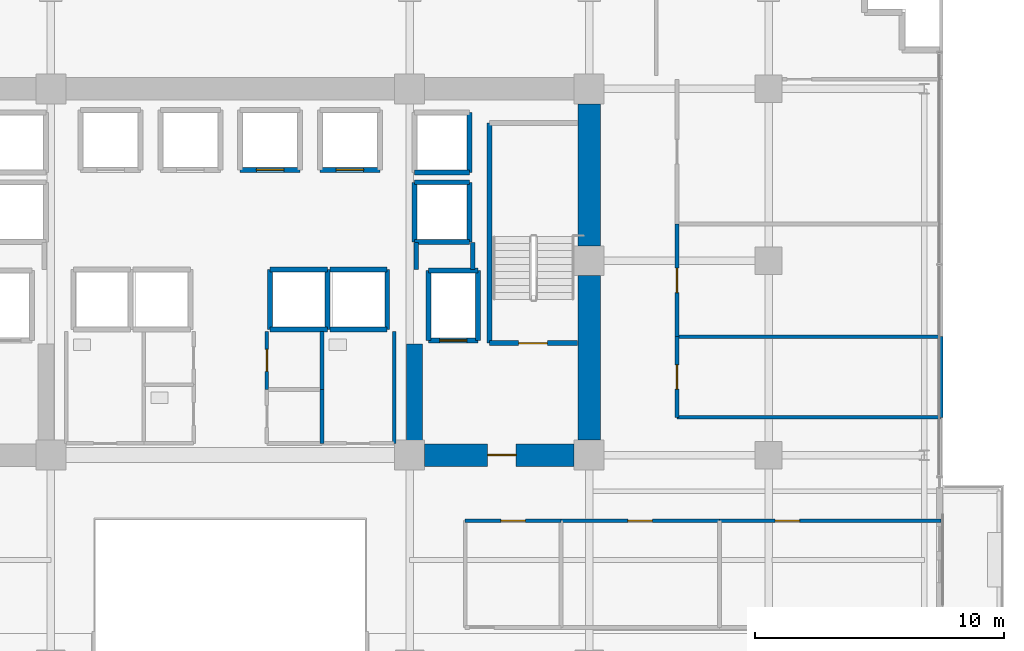
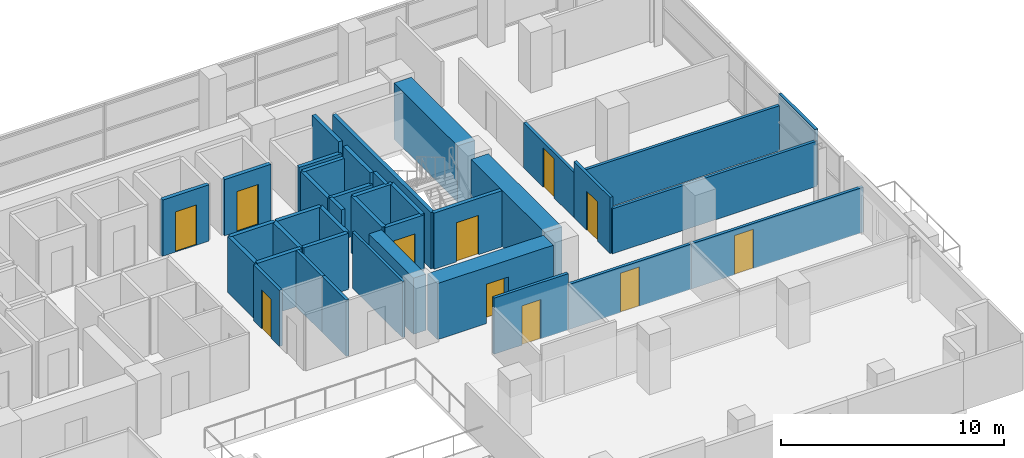
# One storey, part 24 of 30: 39 walls, 11 doors, 11 openings.
"""IFC4 building model written with IfcOpenShell, lengths in metres."""

from ifc_helpers import new_model, si_unit, direction, frame, frame_2d, origin, place, context, subcontext, project, spatial, rectangle, extrude, source, transform, mapped, material, layer, layer_set, type_object, element, fill, save


model = new_model("IFC4")

# Units and contexts
model_context = context("Model", 3, precision=1e-05, world=origin(), true_north=direction((0.0, 1.0)))
body_context = subcontext(model_context, "Body", "Model", "MODEL_VIEW")
ifc_project = project(units=[si_unit("LENGTHUNIT", "METRE"), si_unit("AREAUNIT", "SQUARE_METRE"), si_unit("VOLUMEUNIT", "CUBIC_METRE"), si_unit("PLANEANGLEUNIT", "RADIAN"), si_unit("MASSUNIT", "GRAM", prefix="KILO")], contexts=[model_context])

# Site, building, storey
site_placement = place(None, origin())
site = spatial("IfcSite", under=ifc_project, at=site_placement, CompositionType="ELEMENT")
building_placement = place(site_placement, origin())
building = spatial("IfcBuilding", under=site, at=building_placement, Name="Zarnakvel Exchange Tower", CompositionType="ELEMENT")
storey_placement = place(building_placement, frame((0.0, 0.0, 43.89990234375)))
storey = spatial("IfcBuildingStorey", under=building, at=storey_placement, Name="L11", CompositionType="ELEMENT", Elevation=43.89990234375)

# Walls
ifc_material_1 = material(Name="Concrete C80/95", Category="concrete")
ifc_layer_1 = layer(ifc_material_1, 0.89990234375)
ifc_layer_set_1 = layer_set([ifc_layer_1], Name="Concrete C80/95")
wall_type_1 = type_object("IfcWallType", Name="CW-C1", PredefinedType="SHEAR", material=ifc_layer_set_1)
wall_1_placement = place(storey_placement, frame((14.39990234375, -0.60009765625, 0.0), z_axis=(0.0, 0.0, 1.0), x_axis=(0.0, 1.0, 0.0)))
element("IfcWall", 1, at=wall_1_placement, inside=storey, type_object=wall_type_1, Name="L11 Rear Core Shear Wall E1 (CW-C1)", PredefinedType="SHEAR", context=body_context, shape_type="SweptSolid", body=[
    extrude(rectangle(XDim=6.60009765625, YDim=0.89990234375, at=frame_2d((3.300048828125, 0.0))), origin(), (0.0, 0.0, 1.0), 3.0751953125),
])
wall_2_placement = place(storey_placement, frame((14.39990234375, 7.199951171875, 0.0), z_axis=(0.0, 0.0, 1.0), x_axis=(0.0, 1.0, 0.0)))
element("IfcWall", 2, at=wall_2_placement, inside=storey, type_object=wall_type_1, Name="L11 Rear Core Shear Wall E2 (CW-C1)", PredefinedType="SHEAR", context=body_context, shape_type="SweptSolid", body=[
    extrude(rectangle(XDim=5.699951171875, YDim=0.89990234375, at=frame_2d((2.85009765625, 0.0))), origin(), (0.0, 0.0, 1.0), 3.0751953125),
])

# Wall, opening, door
wall_3_placement = place(storey_placement, frame((13.800048828125, -1.199951171875, 0.0), z_axis=(0.0, 0.0, 1.0), x_axis=(-1.0, 0.0, 0.0)))
wall_3 = element("IfcWall", 3, at=wall_3_placement, inside=storey, type_object=wall_type_1, Name="L11 Rear Core Shear Wall SE (CW-C1)", PredefinedType="SHEAR", context=body_context, shape_type="SweptSolid", body=[
    extrude(rectangle(XDim=6.0, YDim=0.89990234375, at=frame_2d((3.0, 0.0))), origin(), (0.0, 0.0, 1.0), 3.0751953125),
])
opening_1_placement = place(wall_3_placement, frame((2.324951171875, 0.0, 0.0)))
opening_1 = element("IfcOpeningElement", 4, at=opening_1_placement, cuts=wall_3, Name="Opening D-L11-04", PredefinedType="OPENING", context=body_context, shape_type="SweptSolid", body=[
    extrude(rectangle(XDim=1.14990234375, YDim=2.14990234375, at=frame_2d((0.574951171875, 1.074951171875))), frame((0.0, 0.4599609375, 0.0), z_axis=(0.0, -1.0, 0.0), x_axis=(1.0, 0.0, 0.0)), (0.0, 0.0, 1.0), 0.919921875),
])
ifc_material_2 = material(Name="Painted Galvanised Steel S355", Category="steel")
door_type_1 = type_object("IfcDoorType", Name="DT-04", OperationType="NOTDEFINED", PredefinedType="DOOR", material=ifc_material_2)
shared_shape_1 = source(origin(), body_context, "Body", "SweptSolid", [
    extrude(rectangle(XDim=1.14990234375, YDim=2.14990234375, at=frame_2d((0.574951171875, 1.074951171875))), frame((0.0, 0.02490234375, 0.0), z_axis=(0.0, -1.0, 0.0), x_axis=(1.0, 0.0, 0.0)), (0.0, 0.0, 1.0), 0.050048828125),
])
door_1_placement = place(opening_1_placement, origin())
door_1 = element("IfcDoor", 5, at=door_1_placement, inside=storey, type_object=door_type_1, Name="L11 Firefighting Lobby East Door D-L11-04", OperationType="SINGLE_SWING_RIGHT", OverallHeight=2.14990234375, OverallWidth=1.14990234375, PredefinedType="DOOR", context=body_context, shape_type="MappedRepresentation", body=[
    mapped(shared_shape_1, transform((0.0, 0.0, 0.0), x_axis=(1.0, 0.0, 0.0), y_axis=(0.0, 1.0, 0.0), z_axis=(0.0, 0.0, 1.0), scale=1.0)),
])
fill(opening_1, door_1)

# Walls
ifc_layer_2 = layer(ifc_material_1, 0.64990234375)
ifc_layer_set_2 = layer_set([ifc_layer_2], Name="Concrete C80/95")
wall_type_2 = type_object("IfcWallType", Name="CW-C2", PredefinedType="SHEAR", material=ifc_layer_set_2)
wall_4_placement = place(storey_placement, frame((7.39990234375, -0.75, 0.0), z_axis=(0.0, 0.0, 1.0), x_axis=(0.0, 1.0, 0.0)))
element("IfcWall", 6, at=wall_4_placement, inside=storey, type_object=wall_type_2, Name="L11 Rear Core Shear Wall IE (CW-C2)", PredefinedType="SHEAR", context=body_context, shape_type="SweptSolid", body=[
    extrude(rectangle(XDim=4.0, YDim=0.64990234375, at=frame_2d((2.0, 0.0))), origin(), (0.0, 0.0, 1.0), 3.0751953125),
])
ifc_material_3 = material(Name="Fire-Rated Gypsum Stud Partition", Category="gypsum")
ifc_layer_3 = layer(ifc_material_3, 0.14990234375)
ifc_layer_set_3 = layer_set([ifc_layer_3], Name="Fire-Rated Gypsum Stud Partition")
wall_type_3 = type_object("IfcWallType", Name="PT-01", PredefinedType="PARTITIONING", material=ifc_layer_set_3)
wall_5_placement = place(storey_placement, frame((3.679931640625, 1.429931640625, 0.0), z_axis=(0.0, 0.0, 1.0), x_axis=(0.0, -1.0, 0.0)))
element("IfcWall", 7, at=wall_5_placement, inside=storey, type_object=wall_type_3, Name="L11 Partition Wall PWALL-L11-021 (PT-01)", PredefinedType="PARTITIONING", context=body_context, shape_type="SweptSolid", body=[
    extrude(rectangle(XDim=2.159912109375, YDim=0.14990234375, at=frame_2d((1.080078125, 0.0))), origin(), (0.0, 0.0, 1.0), 3.0751953125),
])

# Wall, opening, door
wall_6_placement = place(storey_placement, frame((1.469970703125, 1.429931640625, 0.0), z_axis=(0.0, 0.0, 1.0), x_axis=(0.0, 1.0, 0.0)))
wall_6 = element("IfcWall", 8, at=wall_6_placement, inside=storey, type_object=wall_type_3, Name="L11 Partition Wall PWALL-L11-022 (PT-01)", PredefinedType="PARTITIONING", context=body_context, shape_type="SweptSolid", body=[
    extrude(rectangle(XDim=2.330078125, YDim=0.14990234375, at=frame_2d((1.1650390625, 0.0))), origin(), (0.0, 0.0, 1.0), 3.0751953125),
])
opening_2_placement = place(wall_6_placement, frame((0.72998046875, 0.0, 0.0)))
opening_2 = element("IfcOpeningElement", 9, at=opening_2_placement, cuts=wall_6, Name="Opening D-L11-09", PredefinedType="OPENING", context=body_context, shape_type="SweptSolid", body=[
    extrude(rectangle(XDim=0.8798828125, YDim=2.14990234375, at=frame_2d((0.43994140625, 1.074951171875))), frame((0.0, 0.0849609375, 0.0), z_axis=(0.0, -1.0, 0.0), x_axis=(1.0, 0.0, 0.0)), (0.0, 0.0, 1.0), 0.169921875),
])
ifc_material_4 = material(Name="Timber Acoustic Veneer", Category="wood")
door_type_2 = type_object("IfcDoorType", Name="DT-05", OperationType="NOTDEFINED", PredefinedType="DOOR", material=ifc_material_4)
shared_shape_2 = source(origin(), body_context, "Body", "SweptSolid", [
    extrude(rectangle(XDim=0.8798828125, YDim=2.14990234375, at=frame_2d((0.43994140625, 1.074951171875))), frame((0.0, 0.02490234375, 0.0), z_axis=(0.0, -1.0, 0.0), x_axis=(1.0, 0.0, 0.0)), (0.0, 0.0, 1.0), 0.050048828125),
])
door_2_placement = place(opening_2_placement, origin())
door_2 = element("IfcDoor", 10, at=door_2_placement, inside=storey, type_object=door_type_2, Name="L11 Stationery Store Door D-L11-09", OperationType="SINGLE_SWING_LEFT", OverallHeight=2.14990234375, OverallWidth=0.8798828125, PredefinedType="DOOR", context=body_context, shape_type="MappedRepresentation", body=[
    mapped(shared_shape_2, transform((0.0, 0.0, 0.0), x_axis=(1.0, 0.0, 0.0), y_axis=(0.0, 1.0, 0.0), z_axis=(0.0, 0.0, 1.0), scale=1.0)),
])
fill(opening_2, door_2)

# Wall
wall_7_placement = place(storey_placement, frame((3.679931640625, 3.760009765625, 0.0), z_axis=(0.0, 0.0, 1.0), x_axis=(0.0, -1.0, 0.0)))
element("IfcWall", 11, at=wall_7_placement, inside=storey, type_object=wall_type_3, Name="L11 Partition Wall PWALL-L11-023 (PT-01)", PredefinedType="PARTITIONING", context=body_context, shape_type="SweptSolid", body=[
    extrude(rectangle(XDim=2.330078125, YDim=0.14990234375, at=frame_2d((1.1650390625, 0.0))), origin(), (0.0, 0.0, 1.0), 3.0751953125),
])

# Wall, opening, door
wall_8_placement = place(storey_placement, frame((9.429931640625, -3.830078125, 0.0), z_axis=(0.0, 0.0, 1.0), x_axis=(1.0, 0.0, 0.0)))
wall_8 = element("IfcWall", 12, at=wall_8_placement, inside=storey, type_object=wall_type_3, Name="L11 Partition Wall PWALL-L11-037 (PT-01)", PredefinedType="PARTITIONING", context=body_context, shape_type="SweptSolid", body=[
    extrude(rectangle(XDim=3.838134765625, YDim=0.14990234375, at=frame_2d((1.9189453125, 0.0))), origin(), (0.0, 0.0, 1.0), 3.0751953125),
])
opening_3_placement = place(wall_8_placement, frame((1.428955078125, 0.0, 0.0)))
opening_3 = element("IfcOpeningElement", 13, at=opening_3_placement, cuts=wall_8, Name="Opening D-L11-14", PredefinedType="OPENING", context=body_context, shape_type="SweptSolid", body=[
    extrude(rectangle(XDim=0.97998046875, YDim=2.14990234375, at=frame_2d((0.489990234375, 1.074951171875))), frame((0.0, 0.0849609375, 0.0), z_axis=(0.0, -1.0, 0.0), x_axis=(1.0, 0.0, 0.0)), (0.0, 0.0, 1.0), 0.169921875),
])
shared_shape_3 = source(origin(), body_context, "Body", "SweptSolid", [
    extrude(rectangle(XDim=0.97998046875, YDim=2.14990234375, at=frame_2d((0.489990234375, 1.074951171875))), frame((0.0, 0.02490234375, 0.0), z_axis=(0.0, -1.0, 0.0), x_axis=(1.0, 0.0, 0.0)), (0.0, 0.0, 1.0), 0.050048828125),
])
door_3_placement = place(opening_3_placement, origin())
door_3 = element("IfcDoor", 14, at=door_3_placement, inside=storey, type_object=door_type_2, Name="L11 Conference Room Door D-L11-14", OperationType="SINGLE_SWING_RIGHT", OverallHeight=2.14990234375, OverallWidth=0.97998046875, PredefinedType="DOOR", context=body_context, shape_type="MappedRepresentation", body=[
    mapped(shared_shape_3, transform((0.0, 0.0, 0.0), x_axis=(1.0, 0.0, 0.0), y_axis=(0.0, 1.0, 0.0), z_axis=(0.0, 0.0, 1.0), scale=1.0)),
])
fill(opening_3, door_3)

wall_9_placement = place(storey_placement, frame((13.26806640625, -3.830078125, 0.0), z_axis=(0.0, 0.0, 1.0), x_axis=(1.0, 0.0, 0.0)))
wall_9 = element("IfcWall", 15, at=wall_9_placement, inside=storey, type_object=wall_type_3, Name="L11 Partition Wall PWALL-L11-041 (PT-01)", PredefinedType="PARTITIONING", context=body_context, shape_type="SweptSolid", body=[
    extrude(rectangle(XDim=6.36669921875, YDim=0.14990234375, at=frame_2d((3.183349609375, 0.0))), origin(), (0.0, 0.0, 1.0), 2.465087890625),
])
opening_4_placement = place(wall_9_placement, frame((2.693115234375, 0.0, 0.0)))
opening_4 = element("IfcOpeningElement", 16, at=opening_4_placement, cuts=wall_9, Name="Opening D-L11-15", PredefinedType="OPENING", context=body_context, shape_type="SweptSolid", body=[
    extrude(rectangle(XDim=0.97998046875, YDim=2.14990234375, at=frame_2d((0.489990234375, 1.074951171875))), frame((0.0, 0.0849609375, 0.0), z_axis=(0.0, -1.0, 0.0), x_axis=(1.0, 0.0, 0.0)), (0.0, 0.0, 1.0), 0.169921875),
])
door_4_placement = place(opening_4_placement, origin())
door_4 = element("IfcDoor", 17, at=door_4_placement, inside=storey, type_object=door_type_2, Name="L11 Executive Suite Door D-L11-15", OperationType="SINGLE_SWING_LEFT", OverallHeight=2.14990234375, OverallWidth=0.97998046875, PredefinedType="DOOR", context=body_context, shape_type="MappedRepresentation", body=[
    mapped(shared_shape_3, transform((0.0, 0.0, 0.0), x_axis=(1.0, 0.0, 0.0), y_axis=(0.0, 1.0, 0.0), z_axis=(0.0, 0.0, 1.0), scale=1.0)),
])
fill(opening_4, door_4)

wall_10_placement = place(storey_placement, frame((19.634765625, -3.830078125, 0.0), z_axis=(0.0, 0.0, 1.0), x_axis=(1.0, 0.0, 0.0)))
wall_10 = element("IfcWall", 18, at=wall_10_placement, inside=storey, type_object=wall_type_3, Name="L11 Partition Wall PWALL-L11-044 (PT-01)", PredefinedType="PARTITIONING", context=body_context, shape_type="SweptSolid", body=[
    extrude(rectangle(XDim=8.895263671875, YDim=0.14990234375, at=frame_2d((4.44775390625, 0.0))), origin(), (0.0, 0.0, 1.0), 2.465087890625),
])
opening_5_placement = place(wall_10_placement, frame((2.232421875, 0.0, 0.0)))
opening_5 = element("IfcOpeningElement", 19, at=opening_5_placement, cuts=wall_10, Name="Opening D-L11-16", PredefinedType="OPENING", context=body_context, shape_type="SweptSolid", body=[
    extrude(rectangle(XDim=0.97998046875, YDim=2.14990234375, at=frame_2d((0.489990234375, 1.074951171875))), frame((0.0, 0.0849609375, 0.0), z_axis=(0.0, -1.0, 0.0), x_axis=(1.0, 0.0, 0.0)), (0.0, 0.0, 1.0), 0.169921875),
])
door_5_placement = place(opening_5_placement, origin())
door_5 = element("IfcDoor", 20, at=door_5_placement, inside=storey, type_object=door_type_2, Name="L11 Staff Pantry Door D-L11-16", OperationType="SINGLE_SWING_RIGHT", OverallHeight=2.14990234375, OverallWidth=0.97998046875, PredefinedType="DOOR", context=body_context, shape_type="MappedRepresentation", body=[
    mapped(shared_shape_3, transform((0.0, 0.0, 0.0), x_axis=(1.0, 0.0, 0.0), y_axis=(0.0, 1.0, 0.0), z_axis=(0.0, 0.0, 1.0), scale=1.0)),
])
fill(opening_5, door_5)

# Walls
for number, where, z_axis, x_axis, name in (
    (21, (28.530029296875, 0.314453125, 0.0), (0.0, 0.0, 1.0), (-1.0, 0.0, 0.0), "L11 Partition Wall PWALL-L11-055 (PT-01)"),
    (22, (17.929931640625, 3.553466796875, 0.0), (0.0, 0.0, 1.0), (1.0, 0.0, 0.0), "L11 Partition Wall PWALL-L11-056 (PT-01)"),
):
    element("IfcWall", number, at=place(storey_placement, frame(where, z_axis=z_axis, x_axis=x_axis)), inside=storey, type_object=wall_type_3, Name=name, PredefinedType="PARTITIONING", context=body_context, shape_type="SweptSolid", body=[
        extrude(rectangle(XDim=10.60009765625, YDim=0.14990234375, at=frame_2d((5.300048828125, 0.0))), origin(), (0.0, 0.0, 1.0), 2.465087890625),
    ])

# Wall, opening, door
wall_11_placement = place(storey_placement, frame((17.929931640625, 0.314453125, 0.0), z_axis=(0.0, 0.0, 1.0), x_axis=(0.0, 1.0, 0.0)))
wall_11 = element("IfcWall", 23, at=wall_11_placement, inside=storey, type_object=wall_type_3, Name="L11 Partition Wall PWALL-L11-057 (PT-01)", PredefinedType="PARTITIONING", context=body_context, shape_type="SweptSolid", body=[
    extrude(rectangle(XDim=3.239013671875, YDim=0.14990234375, at=frame_2d((1.61962890625, 0.0))), origin(), (0.0, 0.0, 1.0), 3.0751953125),
])
opening_6_placement = place(wall_11_placement, frame((1.129638671875, 0.0, 0.0)))
opening_6 = element("IfcOpeningElement", 24, at=opening_6_placement, cuts=wall_11, Name="Opening D-L11-20", PredefinedType="OPENING", context=body_context, shape_type="SweptSolid", body=[
    extrude(rectangle(XDim=0.97998046875, YDim=2.14990234375, at=frame_2d((0.489990234375, 1.074951171875))), frame((0.0, 0.0849609375, 0.0), z_axis=(0.0, -1.0, 0.0), x_axis=(1.0, 0.0, 0.0)), (0.0, 0.0, 1.0), 0.169921875),
])
door_6_placement = place(opening_6_placement, origin())
door_6 = element("IfcDoor", 25, at=door_6_placement, inside=storey, type_object=door_type_2, Name="L11 Compliance Office Door D-L11-20", OperationType="SINGLE_SWING_RIGHT", OverallHeight=2.14990234375, OverallWidth=0.97998046875, PredefinedType="DOOR", context=body_context, shape_type="MappedRepresentation", body=[
    mapped(shared_shape_3, transform((0.0, 0.0, 0.0), x_axis=(1.0, 0.0, 0.0), y_axis=(0.0, 1.0, 0.0), z_axis=(0.0, 0.0, 1.0), scale=1.0)),
])
fill(opening_6, door_6)

# Wall
wall_12_placement = place(storey_placement, frame((28.530029296875, 3.553466796875, 0.0), z_axis=(0.0, 0.0, 1.0), x_axis=(0.0, -1.0, 0.0)))
element("IfcWall", 26, at=wall_12_placement, inside=storey, type_object=wall_type_3, Name="L11 Partition Wall PWALL-L11-058 (PT-01)", PredefinedType="PARTITIONING", context=body_context, shape_type="SweptSolid", body=[
    extrude(rectangle(XDim=3.239013671875, YDim=0.14990234375, at=frame_2d((1.61962890625, 0.0))), origin(), (0.0, 0.0, 1.0), 3.0751953125),
])

# Wall, opening, door
wall_13_placement = place(storey_placement, frame((17.929931640625, 3.553466796875, 0.0), z_axis=(0.0, 0.0, 1.0), x_axis=(0.0, 1.0, 0.0)))
wall_13 = element("IfcWall", 27, at=wall_13_placement, inside=storey, type_object=wall_type_3, Name="L11 Partition Wall PWALL-L11-060 (PT-01)", PredefinedType="PARTITIONING", context=body_context, shape_type="SweptSolid", body=[
    extrude(rectangle(XDim=4.521728515625, YDim=0.14990234375, at=frame_2d((2.2607421875, 0.0))), origin(), (0.0, 0.0, 1.0), 2.465087890625),
])
opening_7_placement = place(wall_13_placement, frame((1.7705078125, 0.0, 0.0)))
opening_7 = element("IfcOpeningElement", 28, at=opening_7_placement, cuts=wall_13, Name="Opening D-L11-21", PredefinedType="OPENING", context=body_context, shape_type="SweptSolid", body=[
    extrude(rectangle(XDim=0.97998046875, YDim=2.14990234375, at=frame_2d((0.489990234375, 1.074951171875))), frame((0.0, 0.0849609375, 0.0), z_axis=(0.0, -1.0, 0.0), x_axis=(1.0, 0.0, 0.0)), (0.0, 0.0, 1.0), 0.169921875),
])
door_7_placement = place(opening_7_placement, origin())
door_7 = element("IfcDoor", 29, at=door_7_placement, inside=storey, type_object=door_type_2, Name="L11 Client Lounge Door D-L11-21", OperationType="SINGLE_SWING_LEFT", OverallHeight=2.14990234375, OverallWidth=0.97998046875, PredefinedType="DOOR", context=body_context, shape_type="MappedRepresentation", body=[
    mapped(shared_shape_3, transform((0.0, 0.0, 0.0), x_axis=(1.0, 0.0, 0.0), y_axis=(0.0, 1.0, 0.0), z_axis=(0.0, 0.0, 1.0), scale=1.0)),
])
fill(opening_7, door_7)

# Walls
ifc_layer_4 = layer(ifc_material_3, 0.179931640625)
ifc_layer_set_4 = layer_set([ifc_layer_4], Name="Fire-Rated Gypsum Stud Partition")
wall_type_4 = type_object("IfcWallType", Name="PT-02", PredefinedType="PARTITIONING", material=ifc_layer_set_4)
wall_14_placement = place(storey_placement, frame((7.469970703125, 6.239990234375, 0.0), z_axis=(0.0, 0.0, 1.0), x_axis=(0.0, 1.0, 0.0)))
element("IfcWall", 30, at=wall_14_placement, inside=storey, type_object=wall_type_4, Name="L11 Partition Wall PWALL-L11-009 (PT-02)", PredefinedType="PARTITIONING", context=body_context, shape_type="SweptSolid", body=[
    extrude(rectangle(XDim=1.090087890625, YDim=0.179931640625, at=frame_2d((0.544921875, 0.0))), origin(), (0.0, 0.0, 1.0), 2.465087890625),
])
wall_15_placement = place(storey_placement, frame((9.72998046875, 7.330078125, 0.0), z_axis=(0.0, 0.0, 1.0), x_axis=(0.0, -1.0, 0.0)))
element("IfcWall", 31, at=wall_15_placement, inside=storey, type_object=wall_type_4, Name="L11 Partition Wall PWALL-L11-010 (PT-02)", PredefinedType="PARTITIONING", context=body_context, shape_type="SweptSolid", body=[
    extrude(rectangle(XDim=1.090087890625, YDim=0.179931640625, at=frame_2d((0.544921875, 0.0))), origin(), (0.0, 0.0, 1.0), 3.0751953125),
])
ifc_material_5 = material(Name="Moisture-Resistant Tile-Faced Partition", Category="gypsum")
ifc_layer_5 = layer(ifc_material_5, 0.135009765625)
ifc_layer_set_5 = layer_set([ifc_layer_5], Name="Moisture-Resistant Tile-Faced Partition")
wall_type_5 = type_object("IfcWallType", Name="PT-03", PredefinedType="PARTITIONING", material=ifc_layer_set_5)
wall_16_placement = place(storey_placement, frame((6.580078125, 3.760009765625, 0.0), z_axis=(0.0, 0.0, 1.0), x_axis=(0.0, -1.0, 0.0)))
element("IfcWall", 32, at=wall_16_placement, inside=storey, type_object=wall_type_5, Name="L11 Partition Wall PWALL-L11-025 (PT-03)", PredefinedType="PARTITIONING", context=body_context, shape_type="SweptSolid", body=[
    extrude(rectangle(XDim=4.489990234375, YDim=0.135009765625, at=frame_2d((2.2451171875, 0.0))), origin(), (0.0, 0.0, 1.0), 3.0751953125),
])

# Wall, opening, door
ifc_material_6 = material(Name="Concrete C40/50", Category="concrete")
ifc_layer_6 = layer(ifc_material_6, 0.199951171875)
ifc_layer_set_6 = layer_set([ifc_layer_6], Name="Concrete C40/50")
wall_type_6 = type_object("IfcWallType", Name="SW-01", PredefinedType="SOLIDWALL", material=ifc_layer_set_6)
wall_17_placement = place(storey_placement, frame((9.949951171875, 3.39990234375, 0.0), z_axis=(0.0, 0.0, 1.0), x_axis=(-1.0, 0.0, 0.0)))
wall_17 = element("IfcWall", 33, at=wall_17_placement, inside=storey, type_object=wall_type_6, Name="L11 FL-02 Hoistway Wall South", PredefinedType="SOLIDWALL", context=body_context, shape_type="SweptSolid", body=[
    extrude(rectangle(XDim=2.0, YDim=0.199951171875, at=frame_2d((1.0, 0.0))), origin(), (0.0, 0.0, 1.0), 3.0751953125),
])
opening_8_placement = place(wall_17_placement, frame((0.449951171875, 0.0, 0.0)))
opening_8 = element("IfcOpeningElement", 34, at=opening_8_placement, cuts=wall_17, Name="Opening LD-FL-02-L11", PredefinedType="OPENING", context=body_context, shape_type="SweptSolid", body=[
    extrude(rectangle(XDim=1.10009765625, YDim=2.199951171875, at=frame_2d((0.550048828125, 1.10009765625))), frame((0.0, 0.10986328125, 0.0), z_axis=(0.0, -1.0, 0.0), x_axis=(1.0, 0.0, 0.0)), (0.0, 0.0, 1.0), 0.219970703125),
])
ifc_material_7 = material(Name="Brushed Stainless Steel", Category="steel")
door_type_3 = type_object("IfcDoorType", Name="LDT-01", OperationType="NOTDEFINED", PredefinedType="DOOR", material=ifc_material_7)
shared_shape_4 = source(origin(), body_context, "Body", "SweptSolid", [
    extrude(rectangle(XDim=1.10009765625, YDim=2.199951171875, at=frame_2d((0.550048828125, 1.10009765625))), frame((0.0, 0.02490234375, 0.0), z_axis=(0.0, -1.0, 0.0), x_axis=(1.0, 0.0, 0.0)), (0.0, 0.0, 1.0), 0.050048828125),
])
door_8_placement = place(opening_8_placement, origin())
door_8 = element("IfcDoor", 35, at=door_8_placement, inside=storey, type_object=door_type_3, Name="L11 FL-02 Lift Landing Door LD-FL-02-L11", OperationType="DOUBLE_DOOR_SLIDING", OverallHeight=2.199951171875, OverallWidth=1.10009765625, PredefinedType="DOOR", context=body_context, shape_type="MappedRepresentation", body=[
    mapped(shared_shape_4, transform((0.0, 0.0, 0.0), x_axis=(1.0, 0.0, 0.0), y_axis=(0.0, 1.0, 0.0), z_axis=(0.0, 0.0, 1.0), scale=1.0)),
])
fill(opening_8, door_8)

# Walls
wall_18_placement = place(storey_placement, frame((7.949951171875, 6.199951171875, 0.0), z_axis=(0.0, 0.0, 1.0), x_axis=(1.0, 0.0, 0.0)))
element("IfcWall", 36, at=wall_18_placement, inside=storey, type_object=wall_type_6, Name="L11 FL-02 Hoistway Wall North", PredefinedType="SOLIDWALL", context=body_context, shape_type="SweptSolid", body=[
    extrude(rectangle(XDim=2.0, YDim=0.199951171875, at=frame_2d((1.0, 0.0))), origin(), (0.0, 0.0, 1.0), 3.0751953125),
])
for number, where, z_axis, x_axis, name in (
    (37, (7.949951171875, 3.39990234375, 0.0), (0.0, 0.0, 1.0), (0.0, 1.0, 0.0), "L11 FL-02 Hoistway Wall West"),
    (38, (9.949951171875, 6.199951171875, 0.0), (0.0, 0.0, 1.0), (0.0, -1.0, 0.0), "L11 FL-02 Hoistway Wall East"),
):
    element("IfcWall", number, at=place(storey_placement, frame(where, z_axis=z_axis, x_axis=x_axis)), inside=storey, type_object=wall_type_6, Name=name, PredefinedType="SOLIDWALL", context=body_context, shape_type="SweptSolid", body=[
        extrude(rectangle(XDim=2.800048828125, YDim=0.199951171875, at=frame_2d((1.39990234375, 0.0))), origin(), (0.0, 0.0, 1.0), 3.0751953125),
    ])

# Wall, opening, door
wall_19_placement = place(storey_placement, frame((2.800048828125, 10.25, 0.0), z_axis=(0.0, 0.0, 1.0), x_axis=(-1.0, 0.0, 0.0)))
wall_19 = element("IfcWall", 39, at=wall_19_placement, inside=storey, type_object=wall_type_6, Name="L11 PL-03 Hoistway Wall South", PredefinedType="SOLIDWALL", context=body_context, shape_type="SweptSolid", body=[
    extrude(rectangle(XDim=2.400146484375, YDim=0.199951171875, at=frame_2d((1.2001953125, 0.0))), origin(), (0.0, 0.0, 1.0), 3.0751953125),
])
opening_9_placement = place(wall_19_placement, frame((0.64990234375, 0.0, 0.0)))
opening_9 = element("IfcOpeningElement", 40, at=opening_9_placement, cuts=wall_19, Name="Opening LD-PL-03-L11", PredefinedType="OPENING", context=body_context, shape_type="SweptSolid", body=[
    extrude(rectangle(XDim=1.10009765625, YDim=2.199951171875, at=frame_2d((0.550048828125, 1.10009765625))), frame((0.0, 0.10986328125, 0.0), z_axis=(0.0, -1.0, 0.0), x_axis=(1.0, 0.0, 0.0)), (0.0, 0.0, 1.0), 0.219970703125),
])
ifc_material_8 = material(Name="Architectural Bronze Anodised Aluminium", Category="aluminium")
door_type_4 = type_object("IfcDoorType", Name="LDT-02", OperationType="NOTDEFINED", PredefinedType="DOOR", material=ifc_material_8)
door_9_placement = place(opening_9_placement, origin())
door_9 = element("IfcDoor", 41, at=door_9_placement, inside=storey, type_object=door_type_4, Name="L11 PL-03 Lift Landing Door LD-PL-03-L11", OperationType="DOUBLE_DOOR_SLIDING", OverallHeight=2.199951171875, OverallWidth=1.10009765625, PredefinedType="DOOR", context=body_context, shape_type="MappedRepresentation", body=[
    mapped(shared_shape_4, transform((0.0, 0.0, 0.0), x_axis=(1.0, 0.0, 0.0), y_axis=(0.0, 1.0, 0.0), z_axis=(0.0, 0.0, 1.0), scale=1.0)),
])
fill(opening_9, door_9)

wall_20_placement = place(storey_placement, frame((6.0, 10.25, 0.0), z_axis=(0.0, 0.0, 1.0), x_axis=(-1.0, 0.0, 0.0)))
wall_20 = element("IfcWall", 42, at=wall_20_placement, inside=storey, type_object=wall_type_6, Name="L11 PL-04 Hoistway Wall South", PredefinedType="SOLIDWALL", context=body_context, shape_type="SweptSolid", body=[
    extrude(rectangle(XDim=2.39990234375, YDim=0.199951171875, at=frame_2d((1.199951171875, 0.0))), origin(), (0.0, 0.0, 1.0), 3.0751953125),
])
opening_10_placement = place(wall_20_placement, frame((0.64990234375, 0.0, 0.0)))
opening_10 = element("IfcOpeningElement", 43, at=opening_10_placement, cuts=wall_20, Name="Opening LD-PL-04-L11", PredefinedType="OPENING", context=body_context, shape_type="SweptSolid", body=[
    extrude(rectangle(XDim=1.10009765625, YDim=2.199951171875, at=frame_2d((0.550048828125, 1.10009765625))), frame((0.0, 0.10986328125, 0.0), z_axis=(0.0, -1.0, 0.0), x_axis=(1.0, 0.0, 0.0)), (0.0, 0.0, 1.0), 0.219970703125),
])
door_10_placement = place(opening_10_placement, origin())
door_10 = element("IfcDoor", 44, at=door_10_placement, inside=storey, type_object=door_type_4, Name="L11 PL-04 Lift Landing Door LD-PL-04-L11", OperationType="DOUBLE_DOOR_SLIDING", OverallHeight=2.199951171875, OverallWidth=1.10009765625, PredefinedType="DOOR", context=body_context, shape_type="MappedRepresentation", body=[
    mapped(shared_shape_4, transform((0.0, 0.0, 0.0), x_axis=(1.0, 0.0, 0.0), y_axis=(0.0, 1.0, 0.0), z_axis=(0.0, 0.0, 1.0), scale=1.0)),
])
fill(opening_10, door_10)

# Walls
for number, where, z_axis, x_axis, name in (
    (45, (3.89990234375, 3.85009765625, 0.0), (0.0, 0.0, 1.0), (-1.0, 0.0, 0.0), "L11 PL-07 Hoistway Wall South"),
    (46, (1.60009765625, 6.25, 0.0), (0.0, 0.0, 1.0), (1.0, 0.0, 0.0), "L11 PL-07 Hoistway Wall North"),
):
    element("IfcWall", number, at=place(storey_placement, frame(where, z_axis=z_axis, x_axis=x_axis)), inside=storey, type_object=wall_type_6, Name=name, PredefinedType="SOLIDWALL", context=body_context, shape_type="SweptSolid", body=[
        extrude(rectangle(XDim=2.2998046875, YDim=0.199951171875, at=frame_2d((1.14990234375, 0.0))), origin(), (0.0, 0.0, 1.0), 3.0751953125),
    ])
for number, where, z_axis, x_axis, name in (
    (47, (1.60009765625, 3.85009765625, 0.0), (0.0, 0.0, 1.0), (0.0, 1.0, 0.0), "L11 PL-07 Hoistway Wall West"),
    (48, (3.89990234375, 6.25, 0.0), (0.0, 0.0, 1.0), (0.0, -1.0, 0.0), "L11 PL-07 Hoistway Wall East"),
):
    element("IfcWall", number, at=place(storey_placement, frame(where, z_axis=z_axis, x_axis=x_axis)), inside=storey, type_object=wall_type_6, Name=name, PredefinedType="SOLIDWALL", context=body_context, shape_type="SweptSolid", body=[
        extrude(rectangle(XDim=2.39990234375, YDim=0.199951171875, at=frame_2d((1.199951171875, 0.0))), origin(), (0.0, 0.0, 1.0), 3.0751953125),
    ])
for number, where, z_axis, x_axis, name in (
    (49, (6.300048828125, 3.85009765625, 0.0), (0.0, 0.0, 1.0), (-1.0, 0.0, 0.0), "L11 PL-08 Hoistway Wall South"),
    (50, (4.0, 6.25, 0.0), (0.0, 0.0, 1.0), (1.0, 0.0, 0.0), "L11 PL-08 Hoistway Wall North"),
):
    element("IfcWall", number, at=place(storey_placement, frame(where, z_axis=z_axis, x_axis=x_axis)), inside=storey, type_object=wall_type_6, Name=name, PredefinedType="SOLIDWALL", context=body_context, shape_type="SweptSolid", body=[
        extrude(rectangle(XDim=2.300048828125, YDim=0.199951171875, at=frame_2d((1.14990234375, 0.0))), origin(), (0.0, 0.0, 1.0), 3.0751953125),
    ])
wall_21_placement = place(storey_placement, frame((6.300048828125, 6.25, 0.0), z_axis=(0.0, 0.0, 1.0), x_axis=(0.0, -1.0, 0.0)))
element("IfcWall", 51, at=wall_21_placement, inside=storey, type_object=wall_type_6, Name="L11 PL-08 Hoistway Wall East", PredefinedType="SOLIDWALL", context=body_context, shape_type="SweptSolid", body=[
    extrude(rectangle(XDim=2.39990234375, YDim=0.199951171875, at=frame_2d((1.199951171875, 0.0))), origin(), (0.0, 0.0, 1.0), 3.0751953125),
])
for number, where, z_axis, x_axis, name in (
    (52, (9.60009765625, 7.35009765625, 0.0), (0.0, 0.0, 1.0), (-1.0, 0.0, 0.0), "L11 PL-11 Hoistway Wall South"),
    (53, (7.39990234375, 9.75, 0.0), (0.0, 0.0, 1.0), (1.0, 0.0, 0.0), "L11 PL-11 Hoistway Wall North"),
):
    element("IfcWall", number, at=place(storey_placement, frame(where, z_axis=z_axis, x_axis=x_axis)), inside=storey, type_object=wall_type_6, Name=name, PredefinedType="SOLIDWALL", context=body_context, shape_type="SweptSolid", body=[
        extrude(rectangle(XDim=2.2001953125, YDim=0.199951171875, at=frame_2d((1.10009765625, 0.0))), origin(), (0.0, 0.0, 1.0), 2.465087890625),
    ])
wall_22_placement = place(storey_placement, frame((7.39990234375, 7.35009765625, 0.0), z_axis=(0.0, 0.0, 1.0), x_axis=(0.0, 1.0, 0.0)))
element("IfcWall", 54, at=wall_22_placement, inside=storey, type_object=wall_type_6, Name="L11 PL-11 Hoistway Wall West", PredefinedType="SOLIDWALL", context=body_context, shape_type="SweptSolid", body=[
    extrude(rectangle(XDim=2.39990234375, YDim=0.199951171875, at=frame_2d((1.199951171875, 0.0))), origin(), (0.0, 0.0, 1.0), 2.465087890625),
])
wall_23_placement = place(storey_placement, frame((9.60009765625, 9.75, 0.0), z_axis=(0.0, 0.0, 1.0), x_axis=(0.0, -1.0, 0.0)))
element("IfcWall", 55, at=wall_23_placement, inside=storey, type_object=wall_type_6, Name="L11 PL-11 Hoistway Wall East", PredefinedType="SOLIDWALL", context=body_context, shape_type="SweptSolid", body=[
    extrude(rectangle(XDim=2.39990234375, YDim=0.199951171875, at=frame_2d((1.199951171875, 0.0))), origin(), (0.0, 0.0, 1.0), 3.0751953125),
])
wall_24_placement = place(storey_placement, frame((9.60009765625, 10.14990234375, 0.0), z_axis=(0.0, 0.0, 1.0), x_axis=(-1.0, 0.0, 0.0)))
element("IfcWall", 56, at=wall_24_placement, inside=storey, type_object=wall_type_6, Name="L11 PL-12 Hoistway Wall South", PredefinedType="SOLIDWALL", context=body_context, shape_type="SweptSolid", body=[
    extrude(rectangle(XDim=2.2001953125, YDim=0.199951171875, at=frame_2d((1.10009765625, 0.0))), origin(), (0.0, 0.0, 1.0), 2.465087890625),
])
wall_25_placement = place(storey_placement, frame((9.60009765625, 12.550048828125, 0.0), z_axis=(0.0, 0.0, 1.0), x_axis=(0.0, -1.0, 0.0)))
element("IfcWall", 57, at=wall_25_placement, inside=storey, type_object=wall_type_6, Name="L11 PL-12 Hoistway Wall East", PredefinedType="SOLIDWALL", context=body_context, shape_type="SweptSolid", body=[
    extrude(rectangle(XDim=2.400146484375, YDim=0.199951171875, at=frame_2d((1.2001953125, 0.0))), origin(), (0.0, 0.0, 1.0), 3.0751953125),
])

# Wall, opening, door
ifc_layer_7 = layer(ifc_material_6, 0.199951171875)
ifc_layer_set_7 = layer_set([ifc_layer_7], Name="Concrete C40/50")
wall_type_7 = type_object("IfcWallType", Name="SW-02", PredefinedType="SOLIDWALL", material=ifc_layer_set_7)
wall_26_placement = place(storey_placement, frame((13.929931640625, 3.2900390625, 0.0), z_axis=(0.0, 0.0, 1.0), x_axis=(-1.0, 0.0, 0.0)))
wall_26 = element("IfcWall", 58, at=wall_26_placement, inside=storey, type_object=wall_type_7, Name="L11 Stairwell Core Wall PWALL-L11-004 (SW-02)", PredefinedType="SOLIDWALL", context=body_context, shape_type="SweptSolid", body=[
    extrude(rectangle(XDim=3.52001953125, YDim=0.199951171875, at=frame_2d((1.760009765625, 0.0))), origin(), (0.0, 0.0, 1.0), 3.0751953125),
])
opening_11_placement = place(wall_26_placement, frame((1.205078125, 0.0, 0.0)))
opening_11 = element("IfcOpeningElement", 59, at=opening_11_placement, cuts=wall_26, Name="Opening D-L11-02", PredefinedType="OPENING", context=body_context, shape_type="SweptSolid", body=[
    extrude(rectangle(XDim=1.14990234375, YDim=2.14990234375, at=frame_2d((0.574951171875, 1.074951171875))), frame((0.0, 0.10986328125, 0.0), z_axis=(0.0, -1.0, 0.0), x_axis=(1.0, 0.0, 0.0)), (0.0, 0.0, 1.0), 0.219970703125),
])
door_11_placement = place(opening_11_placement, origin())
door_11 = element("IfcDoor", 60, at=door_11_placement, inside=storey, type_object=door_type_1, Name="L11 Stairwell ST-02 Door D-L11-02", OperationType="SINGLE_SWING_RIGHT", OverallHeight=2.14990234375, OverallWidth=1.14990234375, PredefinedType="DOOR", context=body_context, shape_type="MappedRepresentation", body=[
    mapped(shared_shape_1, transform((0.0, 0.0, 0.0), x_axis=(1.0, 0.0, 0.0), y_axis=(0.0, 1.0, 0.0), z_axis=(0.0, 0.0, 1.0), scale=1.0)),
])
fill(opening_11, door_11)

# Wall
wall_27_placement = place(storey_placement, frame((10.409912109375, 3.2900390625, 0.0), z_axis=(0.0, 0.0, 1.0), x_axis=(0.0, 1.0, 0.0)))
element("IfcWall", 61, at=wall_27_placement, inside=storey, type_object=wall_type_7, Name="L11 Stairwell Core Wall PWALL-L11-006 (SW-02)", PredefinedType="SOLIDWALL", context=body_context, shape_type="SweptSolid", body=[
    extrude(rectangle(XDim=8.83984375, YDim=0.199951171875, at=frame_2d((4.419921875, 0.0))), origin(), (0.0, 0.0, 1.0), 3.0751953125),
])

save(model, "model.ifc")
